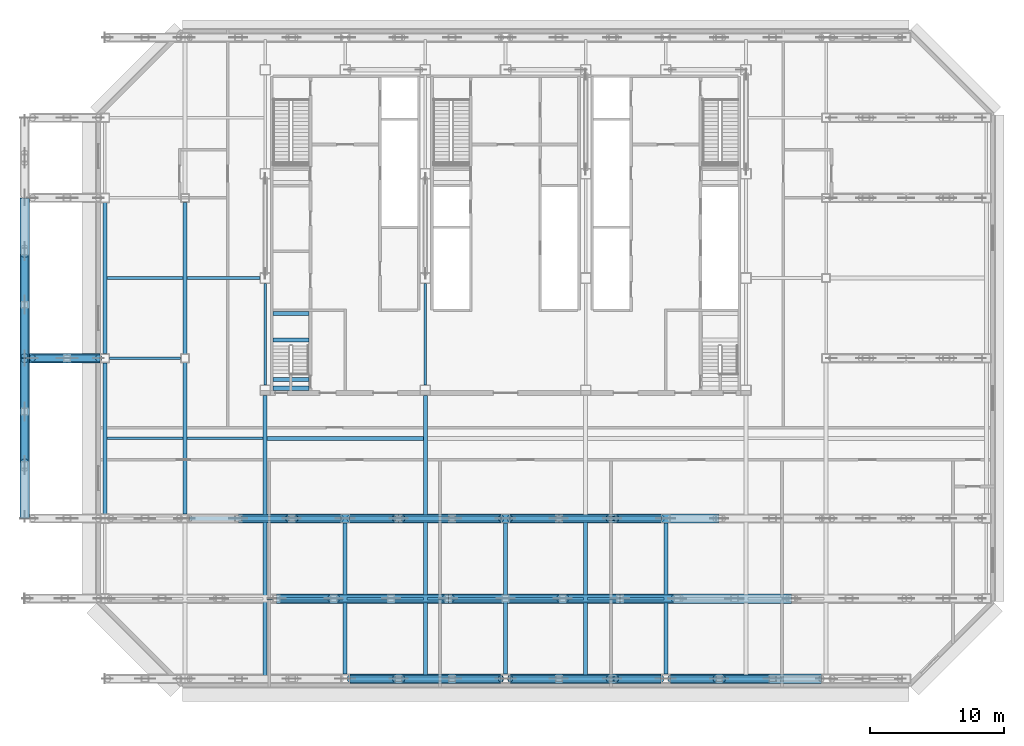
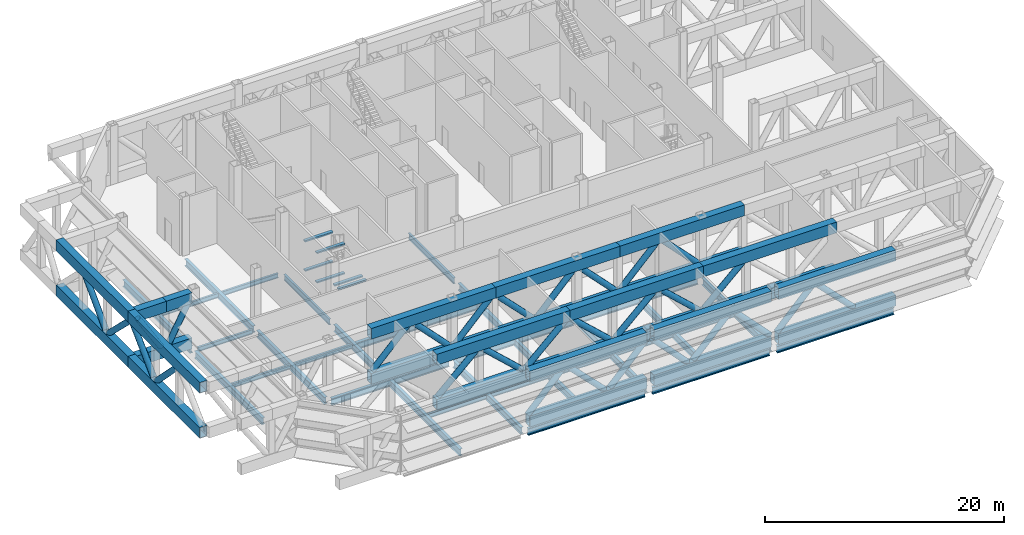
# One storey, part 2 of 17: 62 beams, 29 members.
"""IFC4 building model written with IfcOpenShell, lengths in metres."""

from ifc_helpers import new_model, si_unit, direction, frame, origin, origin_2d, place, context, subcontext, project, spatial, rectangle, hollow_rectangle, hollow_circle, i_section, extrude, material, material_profile, profile_set, type_object, element, save


model = new_model("IFC4")

# Units and contexts
model_context = context("Model", 3, precision=1e-05, world=origin(), true_north=direction((0.0, 1.0)))
body_context = subcontext(model_context, "Body", "Model", "MODEL_VIEW")
ifc_project = project(units=[si_unit("LENGTHUNIT", "METRE"), si_unit("AREAUNIT", "SQUARE_METRE"), si_unit("VOLUMEUNIT", "CUBIC_METRE"), si_unit("PLANEANGLEUNIT", "RADIAN"), si_unit("MASSUNIT", "GRAM", prefix="KILO")], contexts=[model_context])

# Site, building, storey
site_placement = place(None, origin())
site = spatial("IfcSite", under=ifc_project, at=site_placement, CompositionType="ELEMENT")
building_placement = place(site_placement, origin())
building = spatial("IfcBuilding", under=site, at=building_placement, Name="Sorahane Residences", CompositionType="ELEMENT")
storey_placement = place(building_placement, frame((0.0, 0.0, 186.0)))
storey = spatial("IfcBuildingStorey", under=building, at=storey_placement, Name="L43", CompositionType="ELEMENT", Elevation=186.0)

# Beams
ifc_material_1 = material(Name="Concrete C40", Category="concrete")
ifc_material_profile_1 = material_profile(ifc_material_1, rectangle(XDim=0.300048828125, YDim=0.139892578125, at=origin_2d()), Name="300x140")
ifc_profile_set_1 = profile_set([ifc_material_profile_1], Name="Concrete C40")
beam_type_1 = type_object("IfcBeamType", Name="RC landing beam 300 x 140 Concrete C40", PredefinedType="BEAM", material=ifc_profile_set_1)
for number, where, z_axis, x_axis, name in (
    (1, (6.60009765625, 25.3798828125, 1.22998046875), (1.0, 0.0, 0.0), (0.0, 1.0, 0.0), "Landing beam"),
    (2, (6.60009765625, 27.35009765625, 1.22998046875), (1.0, 0.0, 0.0), (0.0, 1.0, 0.0), "Landing beam"),
    (3, (6.60009765625, 21.75, 2.72998046875), (1.0, 0.0, 0.0), (0.0, 1.0, 0.0), "Landing beam"),
    (4, (6.60009765625, 22.39990234375, 2.72998046875), (1.0, 0.0, 0.0), (0.0, 1.0, 0.0), "Landing beam"),
    (5, (6.60009765625, 25.3798828125, 4.22998046875), (1.0, 0.0, 0.0), (0.0, 1.0, 0.0), "Landing beam"),
    (6, (6.60009765625, 27.35009765625, 4.22998046875), (1.0, 0.0, 0.0), (0.0, 1.0, 0.0), "Landing beam"),
):
    element("IfcBeam", number, at=place(storey_placement, frame(where, z_axis=z_axis, x_axis=x_axis)), inside=storey, type_object=beam_type_1, Name=name, PredefinedType="BEAM", context=body_context, shape_type="SweptSolid", body=[
        extrude(rectangle(XDim=0.300048828125, YDim=0.139892578125, at=origin_2d()), origin(), (0.0, 0.0, 1.0), 2.699951171875),
    ])
ifc_material_2 = material(Name="Steel Q355B", Category="steel")
ifc_material_profile_2 = material_profile(ifc_material_2, i_section(OverallWidth=0.199951171875, OverallDepth=0.449951171875, WebThickness=0.009033203125, FlangeThickness=0.013916015625, FilletRadius=0.02001953125, at=origin_2d()), Name="HN 450x200x9x14")
ifc_profile_set_2 = profile_set([ifc_material_profile_2], Name="Steel Q355B")
beam_type_2 = type_object("IfcBeamType", Name="Steel floor beam HN 450x200x9x14 Q355B", PredefinedType="BEAM", material=ifc_profile_set_2)
beam_1_placement = place(storey_placement, frame((-5.64990234375, 24.0, -0.52490234375), z_axis=(1.0, 0.0, 0.0), x_axis=(0.0, 1.0, 0.0)))
element("IfcBeam", 7, at=beam_1_placement, inside=storey, type_object=beam_type_2, Name="Beam L43 011", PredefinedType="BEAM", context=body_context, shape_type="SweptSolid", body=[
    extrude(i_section(OverallWidth=0.199951171875, OverallDepth=0.449951171875, WebThickness=0.009033203125, FlangeThickness=0.013916015625, FilletRadius=0.02001953125, at=origin_2d()), origin(), (0.0, 0.0, 1.0), 5.324951171875),
])
for number, where, z_axis, x_axis, name in (
    (8, (6.14990234375, 6.0, -0.52490234375), (1.0, 0.0, 0.0), (0.0, 1.0, 0.0), "Beam L43 070"),
    (9, (12.14990234375, 6.0, -0.52490234375), (1.0, 0.0, 0.0), (0.0, 1.0, 0.0), "Beam L43 071"),
    (10, (18.14990234375, 6.0, -0.52490234375), (1.0, 0.0, 0.0), (0.0, 1.0, 0.0), "Beam L43 072"),
    (11, (24.14990234375, 6.0, -0.52490234375), (1.0, 0.0, 0.0), (0.0, 1.0, 0.0), "Beam L43 073"),
    (12, (30.14990234375, 6.0, -0.52490234375), (1.0, 0.0, 0.0), (0.0, 1.0, 0.0), "Beam L43 074"),
    (13, (-5.85009765625, 18.0, -0.52490234375), (1.0, 0.0, 0.0), (0.0, 1.0, 0.0), "Beam L43 078"),
    (14, (0.14990234375, 18.0, -0.52490234375), (1.0, 0.0, 0.0), (0.0, 1.0, 0.0), "Beam L43 079"),
    (15, (-5.85009765625, 30.0, -0.52490234375), (1.0, 0.0, 0.0), (0.0, 1.0, 0.0), "Beam L43 085"),
):
    element("IfcBeam", number, at=place(storey_placement, frame(where, z_axis=z_axis, x_axis=x_axis)), inside=storey, type_object=beam_type_2, Name=name, PredefinedType="BEAM", context=body_context, shape_type="SweptSolid", body=[
        extrude(i_section(OverallWidth=0.199951171875, OverallDepth=0.449951171875, WebThickness=0.009033203125, FlangeThickness=0.013916015625, FilletRadius=0.02001953125, at=origin_2d()), origin(), (0.0, 0.0, 1.0), 5.7001953125),
    ])
beam_2_placement = place(storey_placement, frame((0.14990234375, 30.0, -0.52490234375), z_axis=(1.0, 0.0, 0.0), x_axis=(0.0, 1.0, 0.0)))
element("IfcBeam", 16, at=beam_2_placement, inside=storey, type_object=beam_type_2, Name="Beam L43 086", PredefinedType="BEAM", context=body_context, shape_type="SweptSolid", body=[
    extrude(i_section(OverallWidth=0.199951171875, OverallDepth=0.449951171875, WebThickness=0.009033203125, FlangeThickness=0.013916015625, FilletRadius=0.02001953125, at=origin_2d()), origin(), (0.0, 0.0, 1.0), 5.4501953125),
])
ifc_material_3 = material(Name="Steel Q355B", Category="steel")
ifc_material_profile_3 = material_profile(ifc_material_3, i_section(OverallWidth=0.199951171875, OverallDepth=0.60009765625, WebThickness=0.010986328125, FlangeThickness=0.01708984375, FilletRadius=0.02392578125, at=origin_2d()), Name="HN 600x200x11x17")
ifc_profile_set_3 = profile_set([ifc_material_profile_3], Name="Steel Q355B")
beam_type_3 = type_object("IfcBeamType", Name="Steel floor beam HN 600x200x11x17 Q355B", PredefinedType="BEAM", material=ifc_profile_set_3)
for number, where, z_axis, x_axis, name in (
    (17, (6.0, 22.0, -0.60009765625), (0.0, 1.0, 0.0), (-1.0, 0.0, 0.0), "Beam L43 030"),
    (18, (18.0, 22.0, -0.60009765625), (0.0, 1.0, 0.0), (-1.0, 0.0, 0.0), "Beam L43 038"),
):
    element("IfcBeam", number, at=place(storey_placement, frame(where, z_axis=z_axis, x_axis=x_axis)), inside=storey, type_object=beam_type_3, Name=name, PredefinedType="BEAM", context=body_context, shape_type="SweptSolid", body=[
        extrude(i_section(OverallWidth=0.199951171875, OverallDepth=0.60009765625, WebThickness=0.010986328125, FlangeThickness=0.01708984375, FilletRadius=0.02392578125, at=origin_2d()), origin(), (0.0, 0.0, 1.0), 7.60009765625),
    ])
ifc_material_4 = material(Name="Steel Q355B", Category="steel")
ifc_material_profile_4 = material_profile(ifc_material_4, i_section(OverallWidth=0.300048828125, OverallDepth=0.699951171875, WebThickness=0.012939453125, FlangeThickness=0.02392578125, FilletRadius=0.028076171875, at=origin_2d()), Name="HN 700x300x13x24")
ifc_profile_set_4 = profile_set([ifc_material_profile_4], Name="Steel Q355B")
beam_type_4 = type_object("IfcBeamType", Name="Steel floor beam HN 700x300x13x24 Q355B", PredefinedType="BEAM", material=ifc_profile_set_4)
for number, where, z_axis, x_axis, name in (
    (19, (12.35009765625, 0.0, -0.64990234375), (1.0, 0.0, 0.0), (0.0, 1.0, 0.0), "Beam L43 001"),
    (20, (24.35009765625, 0.0, -0.64990234375), (1.0, 0.0, 0.0), (0.0, 1.0, 0.0), "Beam L43 002"),
    (21, (36.35009765625, 0.0, -0.64990234375), (1.0, 0.0, 0.0), (0.0, 1.0, 0.0), "Beam L43 003"),
):
    element("IfcBeam", number, at=place(storey_placement, frame(where, z_axis=z_axis, x_axis=x_axis)), inside=storey, type_object=beam_type_4, Name=name, PredefinedType="BEAM", context=body_context, shape_type="SweptSolid", body=[
        extrude(i_section(OverallWidth=0.300048828125, OverallDepth=0.699951171875, WebThickness=0.012939453125, FlangeThickness=0.02392578125, FilletRadius=0.028076171875, at=origin_2d()), origin(), (0.0, 0.0, 1.0), 11.2998046875),
    ])
for number, where, z_axis, x_axis, name in (
    (22, (0.324951171875, 12.0, -0.64990234375), (1.0, 0.0, 0.0), (0.0, 1.0, 0.0), "Beam L43 006"),
    (23, (12.324951171875, 12.0, -0.64990234375), (1.0, 0.0, 0.0), (0.0, 1.0, 0.0), "Beam L43 007"),
    (24, (24.324951171875, 12.0, -0.64990234375), (1.0, 0.0, 0.0), (0.0, 1.0, 0.0), "Beam L43 008"),
):
    element("IfcBeam", number, at=place(storey_placement, frame(where, z_axis=z_axis, x_axis=x_axis)), inside=storey, type_object=beam_type_4, Name=name, PredefinedType="BEAM", context=body_context, shape_type="SweptSolid", body=[
        extrude(i_section(OverallWidth=0.300048828125, OverallDepth=0.699951171875, WebThickness=0.012939453125, FlangeThickness=0.02392578125, FilletRadius=0.028076171875, at=origin_2d()), origin(), (0.0, 0.0, 1.0), 11.35009765625),
    ])
for number, where, z_axis, x_axis, name in (
    (25, (-6.0, 12.35009765625, -0.64990234375), (0.0, 1.0, 0.0), (-1.0, 0.0, 0.0), "Beam L43 021"),
    (26, (-6.0, 24.35009765625, -0.64990234375), (0.0, 1.0, 0.0), (-1.0, 0.0, 0.0), "Beam L43 022"),
):
    element("IfcBeam", number, at=place(storey_placement, frame(where, z_axis=z_axis, x_axis=x_axis)), inside=storey, type_object=beam_type_4, Name=name, PredefinedType="BEAM", context=body_context, shape_type="SweptSolid", body=[
        extrude(i_section(OverallWidth=0.300048828125, OverallDepth=0.699951171875, WebThickness=0.012939453125, FlangeThickness=0.02392578125, FilletRadius=0.028076171875, at=origin_2d()), origin(), (0.0, 0.0, 1.0), 11.2998046875),
    ])
for number, where, z_axis, x_axis, name in (
    (27, (0.0, 12.324951171875, -0.64990234375), (0.0, 1.0, 0.0), (-1.0, 0.0, 0.0), "Beam L43 025"),
    (28, (0.0, 24.324951171875, -0.64990234375), (0.0, 1.0, 0.0), (-1.0, 0.0, 0.0), "Beam L43 026"),
):
    element("IfcBeam", number, at=place(storey_placement, frame(where, z_axis=z_axis, x_axis=x_axis)), inside=storey, type_object=beam_type_4, Name=name, PredefinedType="BEAM", context=body_context, shape_type="SweptSolid", body=[
        extrude(i_section(OverallWidth=0.300048828125, OverallDepth=0.699951171875, WebThickness=0.012939453125, FlangeThickness=0.02392578125, FilletRadius=0.028076171875, at=origin_2d()), origin(), (0.0, 0.0, 1.0), 11.35009765625),
    ])
beam_3_placement = place(storey_placement, frame((6.0, 0.14990234375, -0.64990234375), z_axis=(0.0, 1.0, 0.0), x_axis=(-1.0, 0.0, 0.0)))
element("IfcBeam", 29, at=beam_3_placement, inside=storey, type_object=beam_type_4, Name="Beam L43 028", PredefinedType="BEAM", context=body_context, shape_type="SweptSolid", body=[
    extrude(i_section(OverallWidth=0.300048828125, OverallDepth=0.699951171875, WebThickness=0.012939453125, FlangeThickness=0.02392578125, FilletRadius=0.028076171875, at=origin_2d()), origin(), (0.0, 0.0, 1.0), 11.7001953125),
])
beam_4_placement = place(storey_placement, frame((6.0, 12.14990234375, -0.64990234375), z_axis=(0.0, 1.0, 0.0), x_axis=(-1.0, 0.0, 0.0)))
element("IfcBeam", 30, at=beam_4_placement, inside=storey, type_object=beam_type_4, Name="Beam L43 029", PredefinedType="BEAM", context=body_context, shape_type="SweptSolid", body=[
    extrude(i_section(OverallWidth=0.300048828125, OverallDepth=0.699951171875, WebThickness=0.012939453125, FlangeThickness=0.02392578125, FilletRadius=0.028076171875, at=origin_2d()), origin(), (0.0, 0.0, 1.0), 9.050048828125),
])
beam_5_placement = place(storey_placement, frame((12.0, 0.35009765625, -0.64990234375), z_axis=(0.0, 1.0, 0.0), x_axis=(-1.0, 0.0, 0.0)))
element("IfcBeam", 31, at=beam_5_placement, inside=storey, type_object=beam_type_4, Name="Beam L43 034", PredefinedType="BEAM", context=body_context, shape_type="SweptSolid", body=[
    extrude(i_section(OverallWidth=0.300048828125, OverallDepth=0.699951171875, WebThickness=0.012939453125, FlangeThickness=0.02392578125, FilletRadius=0.028076171875, at=origin_2d()), origin(), (0.0, 0.0, 1.0), 11.324951171875),
])
beam_6_placement = place(storey_placement, frame((18.0, 0.14990234375, -0.64990234375), z_axis=(0.0, 1.0, 0.0), x_axis=(-1.0, 0.0, 0.0)))
element("IfcBeam", 32, at=beam_6_placement, inside=storey, type_object=beam_type_4, Name="Beam L43 036", PredefinedType="BEAM", context=body_context, shape_type="SweptSolid", body=[
    extrude(i_section(OverallWidth=0.300048828125, OverallDepth=0.699951171875, WebThickness=0.012939453125, FlangeThickness=0.02392578125, FilletRadius=0.028076171875, at=origin_2d()), origin(), (0.0, 0.0, 1.0), 11.7001953125),
])
beam_7_placement = place(storey_placement, frame((18.0, 12.14990234375, -0.64990234375), z_axis=(0.0, 1.0, 0.0), x_axis=(-1.0, 0.0, 0.0)))
element("IfcBeam", 33, at=beam_7_placement, inside=storey, type_object=beam_type_4, Name="Beam L43 037", PredefinedType="BEAM", context=body_context, shape_type="SweptSolid", body=[
    extrude(i_section(OverallWidth=0.300048828125, OverallDepth=0.699951171875, WebThickness=0.012939453125, FlangeThickness=0.02392578125, FilletRadius=0.028076171875, at=origin_2d()), origin(), (0.0, 0.0, 1.0), 9.050048828125),
])
beam_8_placement = place(storey_placement, frame((24.0, 0.35009765625, -0.64990234375), z_axis=(0.0, 1.0, 0.0), x_axis=(-1.0, 0.0, 0.0)))
element("IfcBeam", 34, at=beam_8_placement, inside=storey, type_object=beam_type_4, Name="Beam L43 042", PredefinedType="BEAM", context=body_context, shape_type="SweptSolid", body=[
    extrude(i_section(OverallWidth=0.300048828125, OverallDepth=0.699951171875, WebThickness=0.012939453125, FlangeThickness=0.02392578125, FilletRadius=0.028076171875, at=origin_2d()), origin(), (0.0, 0.0, 1.0), 11.324951171875),
])
beam_9_placement = place(storey_placement, frame((30.0, 0.14990234375, -0.64990234375), z_axis=(0.0, 1.0, 0.0), x_axis=(-1.0, 0.0, 0.0)))
element("IfcBeam", 35, at=beam_9_placement, inside=storey, type_object=beam_type_4, Name="Beam L43 044", PredefinedType="BEAM", context=body_context, shape_type="SweptSolid", body=[
    extrude(i_section(OverallWidth=0.300048828125, OverallDepth=0.699951171875, WebThickness=0.012939453125, FlangeThickness=0.02392578125, FilletRadius=0.028076171875, at=origin_2d()), origin(), (0.0, 0.0, 1.0), 11.7001953125),
])
beam_10_placement = place(storey_placement, frame((36.0, 0.35009765625, -0.64990234375), z_axis=(0.0, 1.0, 0.0), x_axis=(-1.0, 0.0, 0.0)))
element("IfcBeam", 36, at=beam_10_placement, inside=storey, type_object=beam_type_4, Name="Beam L43 050", PredefinedType="BEAM", context=body_context, shape_type="SweptSolid", body=[
    extrude(i_section(OverallWidth=0.300048828125, OverallDepth=0.699951171875, WebThickness=0.012939453125, FlangeThickness=0.02392578125, FilletRadius=0.028076171875, at=origin_2d()), origin(), (0.0, 0.0, 1.0), 11.324951171875),
])
beam_11_placement = place(storey_placement, frame((6.14990234375, 18.0, -0.64990234375), z_axis=(1.0, 0.0, 0.0), x_axis=(0.0, 1.0, 0.0)))
element("IfcBeam", 37, at=beam_11_placement, inside=storey, type_object=beam_type_4, Name="Beam L43 080", PredefinedType="BEAM", context=body_context, shape_type="SweptSolid", body=[
    extrude(i_section(OverallWidth=0.300048828125, OverallDepth=0.699951171875, WebThickness=0.012939453125, FlangeThickness=0.02392578125, FilletRadius=0.028076171875, at=origin_2d()), origin(), (0.0, 0.0, 1.0), 11.7001953125),
])
ifc_material_5 = material(Name="Steel Q420GJ", Category="steel")
ifc_material_profile_5 = material_profile(ifc_material_5, hollow_rectangle(XDim=0.699951171875, YDim=1.10009765625, WallThickness=0.050048828125, at=origin_2d()), Name="BOX 1100x700x50")
ifc_profile_set_5 = profile_set([ifc_material_profile_5], Name="Steel Q420GJ")
beam_type_5 = type_object("IfcBeamType", Name="Truss chord BOX 1100x700x50 Q420GJ", PredefinedType="BEAM", material=ifc_profile_set_5)
for number, where, z_axis, x_axis, name in (
    (38, (12.35009765625, 0.0, 0.550048828125), (1.0, 0.0, 0.0), (0.0, 1.0, 0.0), "Truss chord L43"),
    (39, (24.35009765625, 0.0, 0.550048828125), (1.0, 0.0, 0.0), (0.0, 1.0, 0.0), "Truss chord L43"),
    (40, (36.35009765625, 0.0, 0.550048828125), (1.0, 0.0, 0.0), (0.0, 1.0, 0.0), "Truss chord L43"),
    (41, (12.35009765625, 0.0, 5.14990234375), (1.0, 0.0, 0.0), (0.0, 1.0, 0.0), "Truss chord L43"),
    (42, (24.35009765625, 0.0, 5.14990234375), (1.0, 0.0, 0.0), (0.0, 1.0, 0.0), "Truss chord L43"),
    (43, (36.35009765625, 0.0, 5.14990234375), (1.0, 0.0, 0.0), (0.0, 1.0, 0.0), "Truss chord L43"),
):
    element("IfcBeam", number, at=place(storey_placement, frame(where, z_axis=z_axis, x_axis=x_axis)), inside=storey, type_object=beam_type_5, Name=name, PredefinedType="BEAM", context=body_context, shape_type="SweptSolid", body=[
        extrude(hollow_rectangle(XDim=0.699951171875, YDim=1.10009765625, WallThickness=0.050048828125, at=origin_2d()), origin(), (0.0, 0.0, 1.0), 11.2998046875),
    ])
for number, where, z_axis, x_axis, name in (
    (44, (6.857177734375, 6.0, 0.550048828125), (1.0, 0.0, 0.0), (0.0, 1.0, 0.0), "Truss chord L43"),
    (45, (19.71435546875, 6.0, 0.550048828125), (1.0, 0.0, 0.0), (0.0, 1.0, 0.0), "Truss chord L43"),
):
    element("IfcBeam", number, at=place(storey_placement, frame(where, z_axis=z_axis, x_axis=x_axis)), inside=storey, type_object=beam_type_5, Name=name, PredefinedType="BEAM", context=body_context, shape_type="SweptSolid", body=[
        extrude(hollow_rectangle(XDim=0.699951171875, YDim=1.10009765625, WallThickness=0.050048828125, at=origin_2d()), origin(), (0.0, 0.0, 1.0), 12.857177734375),
    ])
beam_12_placement = place(storey_placement, frame((32.571533203125, 6.0, 0.550048828125), z_axis=(1.0, 0.0, 0.0), x_axis=(0.0, 1.0, 0.0)))
element("IfcBeam", 46, at=beam_12_placement, inside=storey, type_object=beam_type_5, Name="Truss chord L43", PredefinedType="BEAM", context=body_context, shape_type="SweptSolid", body=[
    extrude(hollow_rectangle(XDim=0.699951171875, YDim=1.10009765625, WallThickness=0.050048828125, at=origin_2d()), origin(), (0.0, 0.0, 1.0), 12.85693359375),
])
for number, where, z_axis, x_axis, name in (
    (47, (6.857177734375, 6.0, 5.14990234375), (1.0, 0.0, 0.0), (0.0, 1.0, 0.0), "Truss chord L43"),
    (48, (19.71435546875, 6.0, 5.14990234375), (1.0, 0.0, 0.0), (0.0, 1.0, 0.0), "Truss chord L43"),
):
    element("IfcBeam", number, at=place(storey_placement, frame(where, z_axis=z_axis, x_axis=x_axis)), inside=storey, type_object=beam_type_5, Name=name, PredefinedType="BEAM", context=body_context, shape_type="SweptSolid", body=[
        extrude(hollow_rectangle(XDim=0.699951171875, YDim=1.10009765625, WallThickness=0.050048828125, at=origin_2d()), origin(), (0.0, 0.0, 1.0), 12.857177734375),
    ])
beam_13_placement = place(storey_placement, frame((32.571533203125, 6.0, 5.14990234375), z_axis=(1.0, 0.0, 0.0), x_axis=(0.0, 1.0, 0.0)))
element("IfcBeam", 49, at=beam_13_placement, inside=storey, type_object=beam_type_5, Name="Truss chord L43", PredefinedType="BEAM", context=body_context, shape_type="SweptSolid", body=[
    extrude(hollow_rectangle(XDim=0.699951171875, YDim=1.10009765625, WallThickness=0.050048828125, at=origin_2d()), origin(), (0.0, 0.0, 1.0), 12.85693359375),
])
for number, where, z_axis, x_axis, name in (
    (50, (4.0, 12.0, 0.550048828125), (1.0, 0.0, 0.0), (0.0, 1.0, 0.0), "Truss chord L43"),
    (51, (16.0, 12.0, 0.550048828125), (1.0, 0.0, 0.0), (0.0, 1.0, 0.0), "Truss chord L43"),
    (52, (28.0, 12.0, 0.550048828125), (1.0, 0.0, 0.0), (0.0, 1.0, 0.0), "Truss chord L43"),
    (53, (4.0, 12.0, 5.14990234375), (1.0, 0.0, 0.0), (0.0, 1.0, 0.0), "Truss chord L43"),
    (54, (16.0, 12.0, 5.14990234375), (1.0, 0.0, 0.0), (0.0, 1.0, 0.0), "Truss chord L43"),
    (55, (28.0, 12.0, 5.14990234375), (1.0, 0.0, 0.0), (0.0, 1.0, 0.0), "Truss chord L43"),
):
    element("IfcBeam", number, at=place(storey_placement, frame(where, z_axis=z_axis, x_axis=x_axis)), inside=storey, type_object=beam_type_5, Name=name, PredefinedType="BEAM", context=body_context, shape_type="SweptSolid", body=[
        extrude(hollow_rectangle(XDim=0.699951171875, YDim=1.10009765625, WallThickness=0.050048828125, at=origin_2d()), origin(), (0.0, 0.0, 1.0), 12.0),
    ])
beam_14_placement = place(storey_placement, frame((-11.64990234375, 24.0, 0.550048828125), z_axis=(1.0, 0.0, 0.0), x_axis=(0.0, 1.0, 0.0)))
element("IfcBeam", 56, at=beam_14_placement, inside=storey, type_object=beam_type_5, Name="Truss chord L43", PredefinedType="BEAM", context=body_context, shape_type="SweptSolid", body=[
    extrude(hollow_rectangle(XDim=0.699951171875, YDim=1.10009765625, WallThickness=0.050048828125, at=origin_2d()), origin(), (0.0, 0.0, 1.0), 5.2998046875),
])
beam_15_placement = place(storey_placement, frame((-11.64990234375, 24.0, 5.14990234375), z_axis=(1.0, 0.0, 0.0), x_axis=(0.0, 1.0, 0.0)))
element("IfcBeam", 57, at=beam_15_placement, inside=storey, type_object=beam_type_5, Name="Truss chord L43", PredefinedType="BEAM", context=body_context, shape_type="SweptSolid", body=[
    extrude(hollow_rectangle(XDim=0.699951171875, YDim=1.10009765625, WallThickness=0.050048828125, at=origin_2d()), origin(), (0.0, 0.0, 1.0), 2.824951171875),
])
beam_16_placement = place(storey_placement, frame((-8.824951171875, 24.0, 5.14990234375), z_axis=(1.0, 0.0, 0.0), x_axis=(0.0, 1.0, 0.0)))
element("IfcBeam", 58, at=beam_16_placement, inside=storey, type_object=beam_type_5, Name="Truss chord L43", PredefinedType="BEAM", context=body_context, shape_type="SweptSolid", body=[
    extrude(hollow_rectangle(XDim=0.699951171875, YDim=1.10009765625, WallThickness=0.050048828125, at=origin_2d()), origin(), (0.0, 0.0, 1.0), 2.474853515625),
])
for number, where, z_axis, x_axis, name in (
    (59, (-12.0, 12.0, 0.550048828125), (0.0, 1.0, 0.0), (-1.0, 0.0, 0.0), "Truss chord L43"),
    (60, (-12.0, 24.0, 0.550048828125), (0.0, 1.0, 0.0), (-1.0, 0.0, 0.0), "Truss chord L43"),
    (61, (-12.0, 12.0, 5.14990234375), (0.0, 1.0, 0.0), (-1.0, 0.0, 0.0), "Truss chord L43"),
    (62, (-12.0, 24.0, 5.14990234375), (0.0, 1.0, 0.0), (-1.0, 0.0, 0.0), "Truss chord L43"),
):
    element("IfcBeam", number, at=place(storey_placement, frame(where, z_axis=z_axis, x_axis=x_axis)), inside=storey, type_object=beam_type_5, Name=name, PredefinedType="BEAM", context=body_context, shape_type="SweptSolid", body=[
        extrude(hollow_rectangle(XDim=0.699951171875, YDim=1.10009765625, WallThickness=0.050048828125, at=origin_2d()), origin(), (0.0, 0.0, 1.0), 12.0),
    ])

# Members
ifc_material_6 = material(Name="Steel Q420GJ", Category="steel")
ifc_material_profile_6 = material_profile(ifc_material_6, hollow_circle(Radius=0.27490234375, WallThickness=0.028076171875, at=origin_2d()), Name="CHS 550x28")
ifc_profile_set_6 = profile_set([ifc_material_profile_6], Name="Steel Q420GJ")
member_type = type_object("IfcMemberType", Name="Truss diagonal CHS 550x28 Q420GJ", PredefinedType="BRACE", material=ifc_profile_set_6)
member_1_placement = place(storey_placement, frame((12.35009765625, 0.0, 1.083740234375), z_axis=(0.690807269402, 0.0, 0.723038945383), x_axis=(0.0, 1.0, 0.0)))
element("IfcMember", 63, at=member_1_placement, inside=storey, type_object=member_type, Name="Truss diagonal L43", PredefinedType="BRACE", context=body_context, shape_type="SweptSolid", body=[
    extrude(hollow_circle(Radius=0.27490234375, WallThickness=0.028076171875, at=origin_2d()), origin(), (0.0, 0.0, 1.0), 4.885498046875),
])
member_2_placement = place(storey_placement, frame((16.27490234375, 0.0, 4.6064453125), z_axis=(0.700731450757, 0.0, -0.713425142478), x_axis=(0.0, 1.0, 0.0)))
element("IfcMember", 64, at=member_2_placement, inside=storey, type_object=member_type, Name="Truss diagonal L43", PredefinedType="BRACE", context=body_context, shape_type="SweptSolid", body=[
    extrude(hollow_circle(Radius=0.27490234375, WallThickness=0.028076171875, at=origin_2d()), origin(), (0.0, 0.0, 1.0), 4.923583984375),
])
for number, where, z_axis, x_axis, name in (
    (65, (20.27490234375, 0.0, 1.083740234375), (0.690807269402, 0.0, 0.723038945383), (0.0, 1.0, 0.0), "Truss diagonal L43"),
    (66, (24.35009765625, 0.0, 4.6162109375), (0.690807269402, 0.0, -0.723038945383), (0.0, 1.0, 0.0), "Truss diagonal L43"),
):
    element("IfcMember", number, at=place(storey_placement, frame(where, z_axis=z_axis, x_axis=x_axis)), inside=storey, type_object=member_type, Name=name, PredefinedType="BRACE", context=body_context, shape_type="SweptSolid", body=[
        extrude(hollow_circle(Radius=0.27490234375, WallThickness=0.028076171875, at=origin_2d()), origin(), (0.0, 0.0, 1.0), 4.885498046875),
    ])
member_3_placement = place(storey_placement, frame((28.27490234375, 0.0, 1.09375), z_axis=(0.700731450757, 0.0, 0.713425142478), x_axis=(0.0, 1.0, 0.0)))
element("IfcMember", 67, at=member_3_placement, inside=storey, type_object=member_type, Name="Truss diagonal L43", PredefinedType="BRACE", context=body_context, shape_type="SweptSolid", body=[
    extrude(hollow_circle(Radius=0.27490234375, WallThickness=0.028076171875, at=origin_2d()), origin(), (0.0, 0.0, 1.0), 4.923583984375),
])
for number, where, z_axis, x_axis, name in (
    (68, (32.27490234375, 0.0, 4.6162109375), (0.690807269402, 0.0, -0.723038945383), (0.0, 1.0, 0.0), "Truss diagonal L43"),
    (69, (36.35009765625, 0.0, 1.083740234375), (0.690807269402, 0.0, 0.723038945383), (0.0, 1.0, 0.0), "Truss diagonal L43"),
):
    element("IfcMember", number, at=place(storey_placement, frame(where, z_axis=z_axis, x_axis=x_axis)), inside=storey, type_object=member_type, Name=name, PredefinedType="BRACE", context=body_context, shape_type="SweptSolid", body=[
        extrude(hollow_circle(Radius=0.27490234375, WallThickness=0.028076171875, at=origin_2d()), origin(), (0.0, 0.0, 1.0), 4.885498046875),
    ])
member_4_placement = place(storey_placement, frame((40.27490234375, 0.0, 4.6064453125), z_axis=(0.700731450757, 0.0, -0.713425142478), x_axis=(0.0, 1.0, 0.0)))
element("IfcMember", 70, at=member_4_placement, inside=storey, type_object=member_type, Name="Truss diagonal L43", PredefinedType="BRACE", context=body_context, shape_type="SweptSolid", body=[
    extrude(hollow_circle(Radius=0.27490234375, WallThickness=0.028076171875, at=origin_2d()), origin(), (0.0, 0.0, 1.0), 4.923583984375),
])
member_5_placement = place(storey_placement, frame((7.132080078125, 6.0, 1.127197265625), z_axis=(0.735088849396, 0.0, 0.677970783658), x_axis=(0.0, 1.0, 0.0)))
element("IfcMember", 71, at=member_5_placement, inside=storey, type_object=member_type, Name="Truss diagonal L43", PredefinedType="BRACE", context=body_context, shape_type="SweptSolid", body=[
    extrude(hollow_circle(Radius=0.27490234375, WallThickness=0.028076171875, at=origin_2d()), origin(), (0.0, 0.0, 1.0), 5.082275390625),
])
for number, where, z_axis, x_axis, name in (
    (72, (11.41796875, 6.0, 4.57275390625), (0.735066767488, 0.0, -0.677994725153), (0.0, 1.0, 0.0), "Truss diagonal L43"),
    (73, (15.70361328125, 6.0, 1.127197265625), (0.735066767488, 0.0, 0.677994725153), (0.0, 1.0, 0.0), "Truss diagonal L43"),
):
    element("IfcMember", number, at=place(storey_placement, frame(where, z_axis=z_axis, x_axis=x_axis)), inside=storey, type_object=member_type, Name=name, PredefinedType="BRACE", context=body_context, shape_type="SweptSolid", body=[
        extrude(hollow_circle(Radius=0.27490234375, WallThickness=0.028076171875, at=origin_2d()), origin(), (0.0, 0.0, 1.0), 5.08203125),
    ])
for number, where, z_axis, x_axis, name in (
    (74, (19.9892578125, 6.0, 4.57275390625), (0.735088849396, 0.0, -0.677970783658), (0.0, 1.0, 0.0), "Truss diagonal L43"),
    (75, (24.27490234375, 6.0, 1.127197265625), (0.735088849396, 0.0, 0.677970783658), (0.0, 1.0, 0.0), "Truss diagonal L43"),
):
    element("IfcMember", number, at=place(storey_placement, frame(where, z_axis=z_axis, x_axis=x_axis)), inside=storey, type_object=member_type, Name=name, PredefinedType="BRACE", context=body_context, shape_type="SweptSolid", body=[
        extrude(hollow_circle(Radius=0.27490234375, WallThickness=0.028076171875, at=origin_2d()), origin(), (0.0, 0.0, 1.0), 5.082275390625),
    ])
for number, where, z_axis, x_axis, name in (
    (76, (28.560791015625, 6.0, 4.57275390625), (0.735066767488, 0.0, -0.677994725153), (0.0, 1.0, 0.0), "Truss diagonal L43"),
    (77, (32.846435546875, 6.0, 1.127197265625), (0.735066767488, 0.0, 0.677994725153), (0.0, 1.0, 0.0), "Truss diagonal L43"),
):
    element("IfcMember", number, at=place(storey_placement, frame(where, z_axis=z_axis, x_axis=x_axis)), inside=storey, type_object=member_type, Name=name, PredefinedType="BRACE", context=body_context, shape_type="SweptSolid", body=[
        extrude(hollow_circle(Radius=0.27490234375, WallThickness=0.028076171875, at=origin_2d()), origin(), (0.0, 0.0, 1.0), 5.08203125),
    ])
member_6_placement = place(storey_placement, frame((4.27490234375, 12.0, 1.09375), z_axis=(0.700731450757, 0.0, 0.713425142478), x_axis=(0.0, 1.0, 0.0)))
element("IfcMember", 78, at=member_6_placement, inside=storey, type_object=member_type, Name="Truss diagonal L43", PredefinedType="BRACE", context=body_context, shape_type="SweptSolid", body=[
    extrude(hollow_circle(Radius=0.27490234375, WallThickness=0.028076171875, at=origin_2d()), origin(), (0.0, 0.0, 1.0), 4.923583984375),
])
for number, where, z_axis, x_axis, name in (
    (79, (8.27490234375, 12.0, 4.613037109375), (0.694155863072, 0.0, -0.719824727112), (0.0, 1.0, 0.0), "Truss diagonal L43"),
    (80, (12.324951171875, 12.0, 1.087158203125), (0.694155863072, 0.0, 0.719824727112), (0.0, 1.0, 0.0), "Truss diagonal L43"),
):
    element("IfcMember", number, at=place(storey_placement, frame(where, z_axis=z_axis, x_axis=x_axis)), inside=storey, type_object=member_type, Name=name, PredefinedType="BRACE", context=body_context, shape_type="SweptSolid", body=[
        extrude(hollow_circle(Radius=0.27490234375, WallThickness=0.028076171875, at=origin_2d()), origin(), (0.0, 0.0, 1.0), 4.898193359375),
    ])
member_7_placement = place(storey_placement, frame((16.27490234375, 12.0, 4.6064453125), z_axis=(0.700731450757, 0.0, -0.713425142478), x_axis=(0.0, 1.0, 0.0)))
element("IfcMember", 81, at=member_7_placement, inside=storey, type_object=member_type, Name="Truss diagonal L43", PredefinedType="BRACE", context=body_context, shape_type="SweptSolid", body=[
    extrude(hollow_circle(Radius=0.27490234375, WallThickness=0.028076171875, at=origin_2d()), origin(), (0.0, 0.0, 1.0), 4.923583984375),
])
for number, where, z_axis, x_axis, name in (
    (82, (20.27490234375, 12.0, 1.087158203125), (0.694155863072, 0.0, 0.719824727112), (0.0, 1.0, 0.0), "Truss diagonal L43"),
    (83, (24.324951171875, 12.0, 4.613037109375), (0.694155863072, 0.0, -0.719824727112), (0.0, 1.0, 0.0), "Truss diagonal L43"),
):
    element("IfcMember", number, at=place(storey_placement, frame(where, z_axis=z_axis, x_axis=x_axis)), inside=storey, type_object=member_type, Name=name, PredefinedType="BRACE", context=body_context, shape_type="SweptSolid", body=[
        extrude(hollow_circle(Radius=0.27490234375, WallThickness=0.028076171875, at=origin_2d()), origin(), (0.0, 0.0, 1.0), 4.898193359375),
    ])
member_8_placement = place(storey_placement, frame((28.27490234375, 12.0, 1.09375), z_axis=(0.700731450757, 0.0, 0.713425142478), x_axis=(0.0, 1.0, 0.0)))
element("IfcMember", 84, at=member_8_placement, inside=storey, type_object=member_type, Name="Truss diagonal L43", PredefinedType="BRACE", context=body_context, shape_type="SweptSolid", body=[
    extrude(hollow_circle(Radius=0.27490234375, WallThickness=0.028076171875, at=origin_2d()), origin(), (0.0, 0.0, 1.0), 4.923583984375),
])
member_9_placement = place(storey_placement, frame((32.27490234375, 12.0, 4.613037109375), z_axis=(0.694155863072, 0.0, -0.719824727112), x_axis=(0.0, 1.0, 0.0)))
element("IfcMember", 85, at=member_9_placement, inside=storey, type_object=member_type, Name="Truss diagonal L43", PredefinedType="BRACE", context=body_context, shape_type="SweptSolid", body=[
    extrude(hollow_circle(Radius=0.27490234375, WallThickness=0.028076171875, at=origin_2d()), origin(), (0.0, 0.0, 1.0), 4.898193359375),
])
member_10_placement = place(storey_placement, frame((-11.41552734375, 24.0, 4.677734375), z_axis=(0.520986446871, 0.0, -0.853564949009), x_axis=(0.0, 1.0, 0.0)))
element("IfcMember", 86, at=member_10_placement, inside=storey, type_object=member_type, Name="Truss diagonal L43", PredefinedType="BRACE", context=body_context, shape_type="SweptSolid", body=[
    extrude(hollow_circle(Radius=0.27490234375, WallThickness=0.028076171875, at=origin_2d()), origin(), (0.0, 0.0, 1.0), 4.28271484375),
])
member_11_placement = place(storey_placement, frame((-8.435791015625, 24.0, 1.02685546875), z_axis=(0.475654999472, 0.0, 0.879631923862), x_axis=(0.0, 1.0, 0.0)))
element("IfcMember", 87, at=member_11_placement, inside=storey, type_object=member_type, Name="Truss diagonal L43", PredefinedType="BRACE", context=body_context, shape_type="SweptSolid", body=[
    extrude(hollow_circle(Radius=0.27490234375, WallThickness=0.028076171875, at=origin_2d()), origin(), (0.0, 0.0, 1.0), 4.145263671875),
])
member_12_placement = place(storey_placement, frame((-12.0, 16.27490234375, 4.6064453125), z_axis=(0.0, 0.700731450757, -0.713425142478), x_axis=(-1.0, 0.0, 0.0)))
element("IfcMember", 88, at=member_12_placement, inside=storey, type_object=member_type, Name="Truss diagonal L43", PredefinedType="BRACE", context=body_context, shape_type="SweptSolid", body=[
    extrude(hollow_circle(Radius=0.27490234375, WallThickness=0.028076171875, at=origin_2d()), origin(), (0.0, 0.0, 1.0), 4.923583984375),
])
for number, where, z_axis, x_axis, name in (
    (89, (-12.0, 20.27490234375, 1.109130859375), (0.0, 0.716413272324, 0.697676159288), (-1.0, 0.0, 0.0), "Truss diagonal L43"),
    (90, (-12.0, 24.14990234375, 4.5908203125), (0.0, 0.716413272324, -0.697676159288), (-1.0, 0.0, 0.0), "Truss diagonal L43"),
):
    element("IfcMember", number, at=place(storey_placement, frame(where, z_axis=z_axis, x_axis=x_axis)), inside=storey, type_object=member_type, Name=name, PredefinedType="BRACE", context=body_context, shape_type="SweptSolid", body=[
        extrude(hollow_circle(Radius=0.27490234375, WallThickness=0.028076171875, at=origin_2d()), origin(), (0.0, 0.0, 1.0), 4.990478515625),
    ])
member_13_placement = place(storey_placement, frame((-12.0, 28.27490234375, 1.09375), z_axis=(0.0, 0.700731450757, 0.713425142478), x_axis=(-1.0, 0.0, 0.0)))
element("IfcMember", 91, at=member_13_placement, inside=storey, type_object=member_type, Name="Truss diagonal L43", PredefinedType="BRACE", context=body_context, shape_type="SweptSolid", body=[
    extrude(hollow_circle(Radius=0.27490234375, WallThickness=0.028076171875, at=origin_2d()), origin(), (0.0, 0.0, 1.0), 4.923583984375),
])

save(model, "model.ifc")
